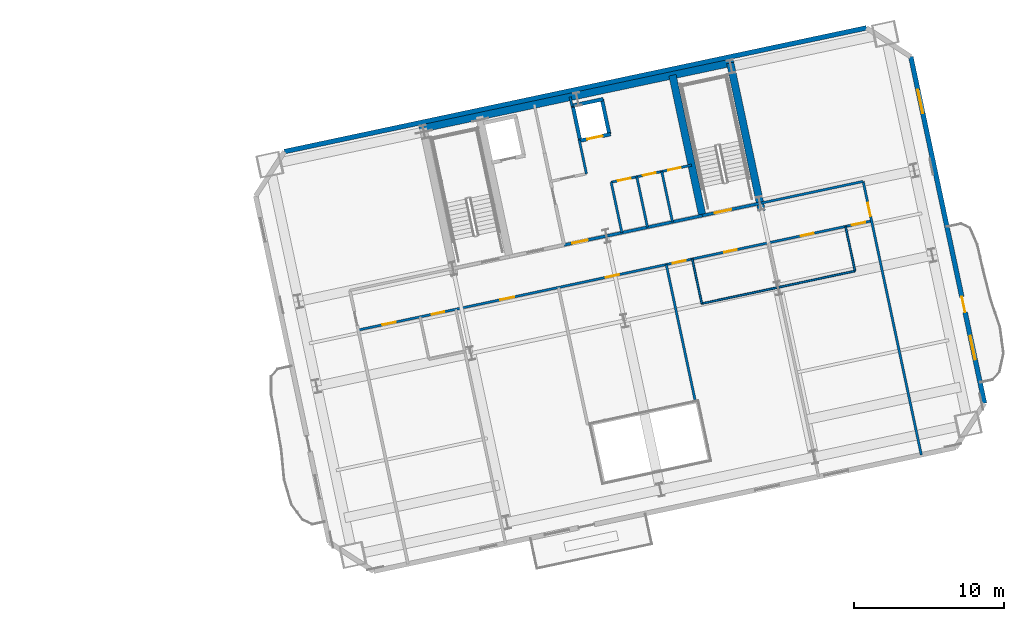
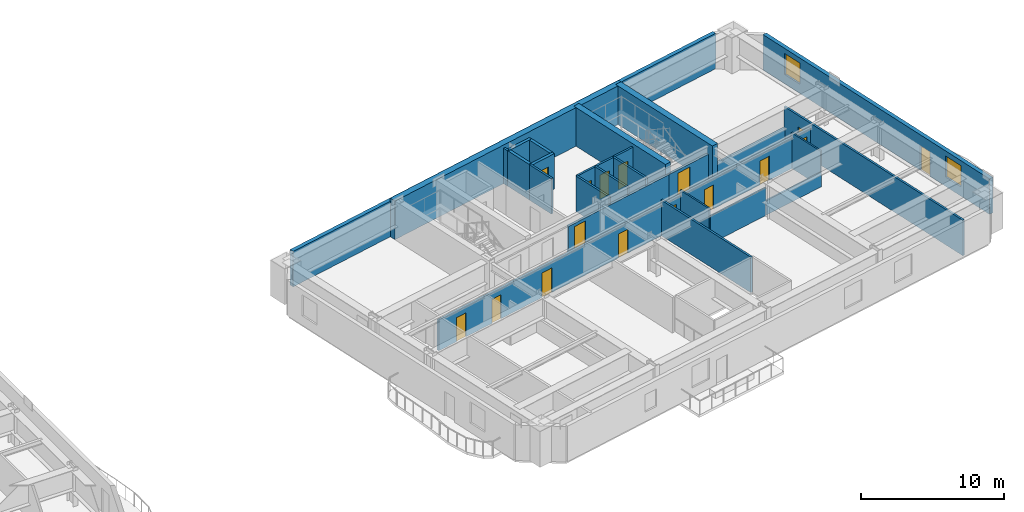
# One storey, part 10 of 16: 25 walls, 16 doors, 2 windows, 18 openings.
"""IFC4 building model written with IfcOpenShell, lengths in metres."""

from ifc_helpers import new_model, si_unit, direction, frame, frame_2d, origin, place, context, subcontext, project, spatial, rectangle, extrude, material, layer, layer_set, type_object, element, fill, save


model = new_model("IFC4")

# Units and contexts
model_context = context("Model", 3, precision=1e-05, world=origin(), true_north=direction((0.0, 1.0)))
body_context = subcontext(model_context, "Body", "Model", "MODEL_VIEW")
ifc_project = project(units=[si_unit("LENGTHUNIT", "METRE"), si_unit("AREAUNIT", "SQUARE_METRE"), si_unit("VOLUMEUNIT", "CUBIC_METRE"), si_unit("PLANEANGLEUNIT", "RADIAN"), si_unit("MASSUNIT", "GRAM", prefix="KILO")], contexts=[model_context])

# Site, building, storey
site_placement = place(None, origin())
site = spatial("IfcSite", under=ifc_project, at=site_placement, CompositionType="ELEMENT")
building_placement = place(site_placement, origin())
building = spatial("IfcBuilding", under=site, at=building_placement, Name="Haevon Station Towers", CompositionType="ELEMENT")
storey_placement = place(building_placement, frame((0.0, 0.0, 90.0)))
storey = spatial("IfcBuildingStorey", under=building, at=storey_placement, Name="L23", CompositionType="ELEMENT", Elevation=90.0)

# Wall, opening, door
ifc_material_1 = material(Name="Gypsum board on steel stud", Category="steel")
ifc_layer_1 = layer(ifc_material_1, 0.199951171875)
ifc_layer_set_1 = layer_set([ifc_layer_1], Name="Gypsum board on steel stud")
wall_type_1 = type_object("IfcWallType", Name="WL-COR200", PredefinedType="PARTITIONING", material=ifc_layer_set_1)
wall_1_placement = place(storey_placement, frame((115.4296875, 40.9873046875, 0.0), z_axis=(0.0, 0.0, 1.0), x_axis=(0.978146596989, 0.207916413008, 0.0)))
wall_1 = element("IfcWall", 1, at=wall_1_placement, inside=storey, type_object=wall_type_1, Name="WL-ST-ST4-L23", PredefinedType="PARTITIONING", context=body_context, shape_type="SweptSolid", body=[
    extrude(rectangle(XDim=3.9501953125, YDim=0.199951171875, at=frame_2d((1.97509765625, 0.0))), origin(), (0.0, 0.0, 1.0), 2.3798828125),
])
opening_1_placement = place(wall_1_placement, frame((0.85009765625, 0.0, 0.0)))
opening_1 = element("IfcOpeningElement", 2, at=opening_1_placement, cuts=wall_1, Name="Opening DR-ST-ST4-L23", PredefinedType="OPENING", context=body_context, shape_type="SweptSolid", body=[
    extrude(rectangle(XDim=1.1201171875, YDim=2.10009765625, at=frame_2d((0.56005859375, 1.050048828125))), frame((0.0, 0.10986328125, 0.0), z_axis=(0.0, -1.0, 0.0), x_axis=(1.0, 0.0, 0.0)), (0.0, 0.0, 1.0), 0.219970703125),
])
ifc_material_2 = material(Name="Engineered oak timber", Category="wood")
door_type_1 = type_object("IfcDoorType", Name="DR-ST-1120", OperationType="NOTDEFINED", PredefinedType="DOOR", material=ifc_material_2)
door_1_placement = place(opening_1_placement, origin())
door_1 = element("IfcDoor", 3, at=door_1_placement, inside=storey, type_object=door_type_1, Name="L23 Escape Stair ST4 Fire Door", OperationType="SINGLE_SWING_RIGHT", OverallHeight=2.10009765625, OverallWidth=1.1201171875, PredefinedType="DOOR", context=body_context, shape_type="SweptSolid", body=[
    extrude(rectangle(XDim=1.1201171875, YDim=2.10009765625, at=frame_2d((0.56005859375, 1.050048828125))), frame((0.0, 0.02490234375, 0.0), z_axis=(0.0, -1.0, 0.0), x_axis=(1.0, 0.0, 0.0)), (0.0, 0.0, 1.0), 0.050048828125),
])
fill(opening_1, door_1)

wall_2_placement = place(storey_placement, frame((106.186279296875, 39.0224609375, 0.0), z_axis=(0.0, 0.0, 1.0), x_axis=(0.978145519981, 0.20792147975, 0.0)))
wall_2 = element("IfcWall", 4, at=wall_2_placement, inside=storey, type_object=wall_type_1, Name="WL-T2CLB-L23", PredefinedType="PARTITIONING", context=body_context, shape_type="SweptSolid", body=[
    extrude(rectangle(XDim=9.449951171875, YDim=0.199951171875, at=frame_2d((4.72509765625, 0.0))), origin(), (0.0, 0.0, 1.0), 2.3798828125),
])
opening_2_placement = place(wall_2_placement, frame((0.550048828125, 0.0, 0.0)))
opening_2 = element("IfcOpeningElement", 5, at=opening_2_placement, cuts=wall_2, Name="Opening DR-T2CLB-L23-1", PredefinedType="OPENING", context=body_context, shape_type="SweptSolid", body=[
    extrude(rectangle(XDim=1.050048828125, YDim=2.10009765625, at=frame_2d((0.52490234375, 1.050048828125))), frame((0.0, 0.10986328125, 0.0), z_axis=(0.0, -1.0, 0.0), x_axis=(1.0, 0.0, 0.0)), (0.0, 0.0, 1.0), 0.219970703125),
])
door_type_2 = type_object("IfcDoorType", Name="DR-FD60-1050", OperationType="NOTDEFINED", PredefinedType="DOOR", material=ifc_material_2)
door_2_placement = place(opening_2_placement, origin())
door_2 = element("IfcDoor", 6, at=door_2_placement, inside=storey, type_object=door_type_2, Name="L23 Tower 2 Core Lift Lobby Door 1", OperationType="SINGLE_SWING_LEFT", OverallHeight=2.10009765625, OverallWidth=1.050048828125, PredefinedType="DOOR", context=body_context, shape_type="SweptSolid", body=[
    extrude(rectangle(XDim=1.050048828125, YDim=2.10009765625, at=frame_2d((0.52490234375, 1.050048828125))), frame((0.0, 0.02490234375, 0.0), z_axis=(0.0, -1.0, 0.0), x_axis=(1.0, 0.0, 0.0)), (0.0, 0.0, 1.0), 0.050048828125),
])
fill(opening_2, door_2)

# Walls
ifc_material_3 = material(Name="Concrete C60/75", Category="concrete")
ifc_layer_2 = layer(ifc_material_3, 0.5)
ifc_layer_set_2 = layer_set([ifc_layer_2], Name="Concrete C60/75")
wall_type_2 = type_object("IfcWallType", Name="WL-CR500", PredefinedType="SHEAR", material=ifc_layer_set_2)
wall_3_placement = place(storey_placement, frame((96.511962890625, 46.78076171875, 0.0), z_axis=(0.0, 0.0, 1.0), x_axis=(0.978148546782, 0.207907239961, 0.0)))
element("IfcWall", 7, at=wall_3_placement, inside=storey, type_object=wall_type_2, Name="WL-T2CR-L23-N", PredefinedType="SHEAR", context=body_context, shape_type="SweptSolid", body=[
    extrude(rectangle(XDim=21.499755859375, YDim=0.5, at=frame_2d((10.75, 0.0))), origin(), (0.0, 0.0, 1.0), 3.300048828125),
])
wall_4_placement = place(storey_placement, frame((119.401611328125, 41.2998046875, 0.0), z_axis=(0.0, 0.0, 1.0), x_axis=(-0.207904342798, 0.978149162575, 0.0)))
element("IfcWall", 8, at=wall_4_placement, inside=storey, type_object=wall_type_2, Name="WL-T2CR-L23-E", PredefinedType="SHEAR", context=body_context, shape_type="SweptSolid", body=[
    extrude(rectangle(XDim=10.1201171875, YDim=0.5, at=frame_2d((5.06005859375, 0.0))), origin(), (0.0, 0.0, 1.0), 3.300048828125),
])
wall_5_placement = place(storey_placement, frame((115.4296875, 40.9873046875, 0.0), z_axis=(0.0, 0.0, 1.0), x_axis=(-0.207903162969, 0.978149413345, 0.0)))
element("IfcWall", 9, at=wall_5_placement, inside=storey, type_object=wall_type_2, Name="WL-T2CR-L23-M2", PredefinedType="SHEAR", context=body_context, shape_type="SweptSolid", body=[
    extrude(rectangle(XDim=9.599853515625, YDim=0.5, at=frame_2d((4.7998046875, 0.0))), origin(), (0.0, 0.0, 1.0), 3.300048828125),
])
ifc_material_4 = material(Name="Precast concrete C45/55", Category="concrete")
ifc_layer_3 = layer(ifc_material_4, 0.320068359375)
ifc_layer_set_3 = layer_set([ifc_layer_3], Name="Precast concrete C45/55")
wall_type_3 = type_object("IfcWallType", Name="WL-EXT-PIER320", PredefinedType="SOLIDWALL", material=ifc_layer_set_3)
wall_6_placement = place(storey_placement, frame((87.478759765625, 45.26953125, 0.0), z_axis=(0.0, 0.0, 1.0), x_axis=(0.978147406386, 0.20791260515, 0.0)))
element("IfcWall", 10, at=wall_6_placement, inside=storey, type_object=wall_type_3, Name="WL-T2-L23-N", PredefinedType="SOLIDWALL", context=body_context, shape_type="SweptSolid", body=[
    extrude(rectangle(XDim=39.7998046875, YDim=0.320068359375, at=frame_2d((19.89990234375, 0.0))), origin(), (0.0, 0.0, 1.0), 3.030029296875),
])

# Wall, openings, door, windows
wall_7_placement = place(storey_placement, frame((129.3740234375, 51.618896484375, 0.0), z_axis=(0.0, 0.0, 1.0), x_axis=(0.20791074704, -0.978147801339, 0.0)))
wall_7 = element("IfcWall", 11, at=wall_7_placement, inside=storey, type_object=wall_type_3, Name="WL-T2-L23-E", PredefinedType="SOLIDWALL", context=body_context, shape_type="SweptSolid", body=[
    extrude(rectangle(XDim=23.699951171875, YDim=0.320068359375, at=frame_2d((11.85009765625, 0.0))), origin(), (0.0, 0.0, 1.0), 3.030029296875),
])
opening_3_placement = place(wall_7_placement, frame((16.425048828125, 0.0, 0.0)))
opening_3 = element("IfcOpeningElement", 12, at=opening_3_placement, cuts=wall_7, Name="Opening DR-T2-SCAL-L23-E", PredefinedType="OPENING", context=body_context, shape_type="SweptSolid", body=[
    extrude(rectangle(XDim=1.050048828125, YDim=2.10009765625, at=frame_2d((0.52490234375, 1.050048828125))), frame((0.0, 0.169921875, 0.0), z_axis=(0.0, -1.0, 0.0), x_axis=(1.0, 0.0, 0.0)), (0.0, 0.0, 1.0), 0.340087890625),
])
opening_4_placement = place(wall_7_placement, frame((2.264404296875, 0.0, 0.800048828125)))
opening_4 = element("IfcOpeningElement", 13, at=opening_4_placement, cuts=wall_7, Name="Opening WN-END160", PredefinedType="OPENING", context=body_context, shape_type="SweptSolid", body=[
    extrude(rectangle(XDim=1.60009765625, YDim=1.800048828125, at=frame_2d((0.800048828125, 0.89990234375))), frame((0.0, 0.169921875, 0.0), z_axis=(0.0, -1.0, 0.0), x_axis=(1.0, 0.0, 0.0)), (0.0, 0.0, 1.0), 0.340087890625),
])
opening_5_placement = place(wall_7_placement, frame((19.103515625, 0.0, 0.800048828125)))
opening_5 = element("IfcOpeningElement", 14, at=opening_5_placement, cuts=wall_7, Name="Opening WN-END160", PredefinedType="OPENING", context=body_context, shape_type="SweptSolid", body=[
    extrude(rectangle(XDim=1.60009765625, YDim=1.800048828125, at=frame_2d((0.800048828125, 0.89990234375))), frame((0.0, 0.169921875, 0.0), z_axis=(0.0, -1.0, 0.0), x_axis=(1.0, 0.0, 0.0)), (0.0, 0.0, 1.0), 0.340087890625),
])
ifc_material_5 = material(Name="Thermally broken anodised aluminium and laminated safety glass", Category="aluminium")
door_type_3 = type_object("IfcDoorType", Name="DR-BALC-1050", OperationType="NOTDEFINED", PredefinedType="DOOR", material=ifc_material_5)
door_3_placement = place(opening_3_placement, origin())
door_3 = element("IfcDoor", 15, at=door_3_placement, inside=storey, type_object=door_type_3, Name="Tower 2 L23 East Scalloped Balcony Door", OperationType="SINGLE_SWING_LEFT", OverallHeight=2.10009765625, OverallWidth=1.050048828125, PredefinedType="DOOR", context=body_context, shape_type="SweptSolid", body=[
    extrude(rectangle(XDim=1.050048828125, YDim=2.10009765625, at=frame_2d((0.52490234375, 1.050048828125))), frame((0.0, 0.02490234375, 0.0), z_axis=(0.0, -1.0, 0.0), x_axis=(1.0, 0.0, 0.0)), (0.0, 0.0, 1.0), 0.050048828125),
])
fill(opening_3, door_3)
ifc_material_6 = material(Name="Low-E triple glazing in thermally broken aluminium", Category="aluminium")
window_type = type_object("IfcWindowType", Name="WN-END160", PartitioningType="SINGLE_PANEL", PredefinedType="WINDOW", material=ifc_material_6)
window_1_placement = place(opening_4_placement, origin())
window_1 = element("IfcWindow", 16, at=window_1_placement, inside=storey, type_object=window_type, Name="WN-T2-L23-E01", OverallHeight=1.800048828125, OverallWidth=1.60009765625, PartitioningType="SINGLE_PANEL", PredefinedType="WINDOW", context=body_context, shape_type="SweptSolid", body=[
    extrude(rectangle(XDim=1.60009765625, YDim=1.800048828125, at=frame_2d((0.800048828125, 0.89990234375))), frame((0.0, 0.030029296875, 0.0), z_axis=(0.0, -1.0, 0.0), x_axis=(1.0, 0.0, 0.0)), (0.0, 0.0, 1.0), 0.06005859375),
])
fill(opening_4, window_1)
window_2_placement = place(opening_5_placement, origin())
window_2 = element("IfcWindow", 17, at=window_2_placement, inside=storey, type_object=window_type, Name="WN-T2-L23-E02", OverallHeight=1.800048828125, OverallWidth=1.60009765625, PartitioningType="SINGLE_PANEL", PredefinedType="WINDOW", context=body_context, shape_type="SweptSolid", body=[
    extrude(rectangle(XDim=1.60009765625, YDim=1.800048828125, at=frame_2d((0.800048828125, 0.89990234375))), frame((0.0, 0.030029296875, 0.0), z_axis=(0.0, -1.0, 0.0), x_axis=(1.0, 0.0, 0.0)), (0.0, 0.0, 1.0), 0.06005859375),
])
fill(opening_5, window_2)

# Walls
ifc_layer_4 = layer(ifc_material_1, 0.125)
ifc_layer_set_4 = layer_set([ifc_layer_4], Name="Gypsum board on steel stud")
wall_type_4 = type_object("IfcWallType", Name="WL-PRT125", PredefinedType="PARTITIONING", material=ifc_layer_set_4)
wall_8_placement = place(storey_placement, frame((115.392822265625, 35.10107421875, 0.0), z_axis=(0.0, 0.0, 1.0), x_axis=(0.978151508714, 0.207893304367, 0.0)))
element("IfcWall", 18, at=wall_8_placement, inside=storey, type_object=wall_type_4, Name="WL-T2PT-L23-15", PredefinedType="PARTITIONING", context=body_context, shape_type="SweptSolid", body=[
    extrude(rectangle(XDim=5.239990234375, YDim=0.125, at=frame_2d((2.6201171875, 0.0))), origin(), (0.0, 0.0, 1.0), 2.3798828125),
])
wall_9_placement = place(storey_placement, frame((115.392822265625, 35.10107421875, 0.0), z_axis=(0.0, 0.0, 1.0), x_axis=(-0.207970769876, 0.978135041228, 0.0)))
element("IfcWall", 19, at=wall_9_placement, inside=storey, type_object=wall_type_4, Name="WL-T2PT-L23-16", PredefinedType="PARTITIONING", context=body_context, shape_type="SweptSolid", body=[
    extrude(rectangle(XDim=3.0498046875, YDim=0.125, at=frame_2d((1.52490234375, 0.0))), origin(), (0.0, 0.0, 1.0), 3.030029296875),
])
wall_10_placement = place(storey_placement, frame((120.518310546875, 36.1904296875, 0.0), z_axis=(0.0, 0.0, 1.0), x_axis=(0.978151508714, 0.207893304367, 0.0)))
element("IfcWall", 20, at=wall_10_placement, inside=storey, type_object=wall_type_4, Name="WL-T2PT-L23-18", PredefinedType="PARTITIONING", context=body_context, shape_type="SweptSolid", body=[
    extrude(rectangle(XDim=5.239990234375, YDim=0.125, at=frame_2d((2.6201171875, 0.0))), origin(), (0.0, 0.0, 1.0), 1.22998046875),
])
wall_11_placement = place(storey_placement, frame((125.643798828125, 37.27978515625, 0.0), z_axis=(0.0, 0.0, 1.0), x_axis=(-0.207877902534, 0.978154782045, 0.0)))
element("IfcWall", 21, at=wall_11_placement, inside=storey, type_object=wall_type_4, Name="WL-T2PT-L23-19", PredefinedType="PARTITIONING", context=body_context, shape_type="SweptSolid", body=[
    extrude(rectangle(XDim=3.050048828125, YDim=0.125, at=frame_2d((1.52490234375, 0.0))), origin(), (0.0, 0.0, 1.0), 3.030029296875),
])
ifc_layer_5 = layer(ifc_material_1, 0.159912109375)
ifc_layer_set_5 = layer_set([ifc_layer_5], Name="Gypsum board on steel stud")
wall_type_5 = type_object("IfcWallType", Name="WL-PRT160", PredefinedType="PARTITIONING", material=ifc_layer_set_5)
wall_12_placement = place(storey_placement, frame((107.67822265625, 43.786865234375, 0.0), z_axis=(0.0, 0.0, 1.0), x_axis=(-0.207839712757, 0.978162897375, 0.0)))
element("IfcWall", 22, at=wall_12_placement, inside=storey, type_object=wall_type_5, Name="WL-T2CW-L23-03", PredefinedType="PARTITIONING", context=body_context, shape_type="SweptSolid", body=[
    extrude(rectangle(XDim=2.300048828125, YDim=0.159912109375, at=frame_2d((1.14990234375, 0.0))), origin(), (0.0, 0.0, 1.0), 3.030029296875),
])
wall_13_placement = place(storey_placement, frame((106.721923828125, 48.286376953125, 0.0), z_axis=(0.0, 0.0, 1.0), x_axis=(-0.208092352933, 0.978109182377, 0.0)))
element("IfcWall", 23, at=wall_13_placement, inside=storey, type_object=wall_type_5, Name="WL-T2CW-L23-04", PredefinedType="PARTITIONING", context=body_context, shape_type="SweptSolid", body=[
    extrude(rectangle(XDim=0.64990234375, YDim=0.159912109375, at=frame_2d((0.324951171875, 0.0))), origin(), (0.0, 0.0, 1.0), 3.030029296875),
])
for number, where, z_axis, x_axis, name in (
    (24, (110.050048828125, 39.84375, 0.0), (0.0, 0.0, 1.0), (-0.207900225061, 0.978150037785, 0.0), "WL-T2CW-L23-05"),
    (25, (111.76171875, 40.20751953125, 0.0), (0.0, 0.0, 1.0), (-0.207900225061, 0.978150037785, 0.0), "WL-T2CW-L23-06"),
):
    element("IfcWall", number, at=place(storey_placement, frame(where, z_axis=z_axis, x_axis=x_axis)), inside=storey, type_object=wall_type_5, Name=name, PredefinedType="PARTITIONING", context=body_context, shape_type="SweptSolid", body=[
        extrude(rectangle(XDim=3.4501953125, YDim=0.159912109375, at=frame_2d((1.72509765625, 0.0))), origin(), (0.0, 0.0, 1.0), 3.030029296875),
    ])
wall_14_placement = place(storey_placement, frame((113.434326171875, 40.563232421875, 0.0), z_axis=(0.0, 0.0, 1.0), x_axis=(-0.207914616127, 0.978146978935, 0.0)))
element("IfcWall", 26, at=wall_14_placement, inside=storey, type_object=wall_type_5, Name="WL-T2CW-L23-07", PredefinedType="PARTITIONING", context=body_context, shape_type="SweptSolid", body=[
    extrude(rectangle(XDim=3.449951171875, YDim=0.159912109375, at=frame_2d((1.72509765625, 0.0))), origin(), (0.0, 0.0, 1.0), 3.030029296875),
])

# Wall, openings, doors
wall_15_placement = place(storey_placement, frame((109.332763671875, 43.218505859375, 0.0), z_axis=(0.0, 0.0, 1.0), x_axis=(0.978153773776, 0.207882646816, 0.0)))
wall_15 = element("IfcWall", 27, at=wall_15_placement, inside=storey, type_object=wall_type_5, Name="WL-T2CW-L23-08", PredefinedType="PARTITIONING", context=body_context, shape_type="SweptSolid", body=[
    extrude(rectangle(XDim=5.499755859375, YDim=0.159912109375, at=frame_2d((2.75, 0.0))), origin(), (0.0, 0.0, 1.0), 3.030029296875),
])
opening_6_placement = place(wall_15_placement, frame((0.469970703125, 0.0, 0.0)))
opening_6 = element("IfcOpeningElement", 28, at=opening_6_placement, cuts=wall_15, Name="Opening DR-WL-T2CW-L23-08-1", PredefinedType="OPENING", context=body_context, shape_type="SweptSolid", body=[
    extrude(rectangle(XDim=0.85009765625, YDim=2.050048828125, at=frame_2d((0.425048828125, 1.02490234375))), frame((0.0, 0.08984375, 0.0), z_axis=(0.0, -1.0, 0.0), x_axis=(1.0, 0.0, 0.0)), (0.0, 0.0, 1.0), 0.179931640625),
])
opening_7_placement = place(wall_15_placement, frame((2.179931640625, 0.0, 0.0)))
opening_7 = element("IfcOpeningElement", 29, at=opening_7_placement, cuts=wall_15, Name="Opening DR-WL-T2CW-L23-08-2", PredefinedType="OPENING", context=body_context, shape_type="SweptSolid", body=[
    extrude(rectangle(XDim=0.85009765625, YDim=2.050048828125, at=frame_2d((0.425048828125, 1.02490234375))), frame((0.0, 0.08984375, 0.0), z_axis=(0.0, -1.0, 0.0), x_axis=(1.0, 0.0, 0.0)), (0.0, 0.0, 1.0), 0.179931640625),
])
opening_8_placement = place(wall_15_placement, frame((3.89501953125, 0.0, 0.0)))
opening_8 = element("IfcOpeningElement", 30, at=opening_8_placement, cuts=wall_15, Name="Opening DR-WL-T2CW-L23-08-3", PredefinedType="OPENING", context=body_context, shape_type="SweptSolid", body=[
    extrude(rectangle(XDim=0.85009765625, YDim=2.050048828125, at=frame_2d((0.425048828125, 1.02490234375))), frame((0.0, 0.08984375, 0.0), z_axis=(0.0, -1.0, 0.0), x_axis=(1.0, 0.0, 0.0)), (0.0, 0.0, 1.0), 0.179931640625),
])
door_type_4 = type_object("IfcDoorType", Name="DR-FD30-850", OperationType="NOTDEFINED", PredefinedType="DOOR", material=ifc_material_2)
door_4_placement = place(opening_6_placement, origin())
door_4 = element("IfcDoor", 31, at=door_4_placement, inside=storey, type_object=door_type_4, Name="L23 Tower 2 Core Room Door 8-1", OperationType="SINGLE_SWING_RIGHT", OverallHeight=2.050048828125, OverallWidth=0.85009765625, PredefinedType="DOOR", context=body_context, shape_type="SweptSolid", body=[
    extrude(rectangle(XDim=0.85009765625, YDim=2.050048828125, at=frame_2d((0.425048828125, 1.02490234375))), frame((0.0, 0.02490234375, 0.0), z_axis=(0.0, -1.0, 0.0), x_axis=(1.0, 0.0, 0.0)), (0.0, 0.0, 1.0), 0.050048828125),
])
fill(opening_6, door_4)
door_5_placement = place(opening_7_placement, origin())
door_5 = element("IfcDoor", 32, at=door_5_placement, inside=storey, type_object=door_type_4, Name="L23 Tower 2 Core Room Door 8-2", OperationType="SINGLE_SWING_LEFT", OverallHeight=2.050048828125, OverallWidth=0.85009765625, PredefinedType="DOOR", context=body_context, shape_type="SweptSolid", body=[
    extrude(rectangle(XDim=0.85009765625, YDim=2.050048828125, at=frame_2d((0.425048828125, 1.02490234375))), frame((0.0, 0.02490234375, 0.0), z_axis=(0.0, -1.0, 0.0), x_axis=(1.0, 0.0, 0.0)), (0.0, 0.0, 1.0), 0.050048828125),
])
fill(opening_7, door_5)
door_6_placement = place(opening_8_placement, origin())
door_6 = element("IfcDoor", 33, at=door_6_placement, inside=storey, type_object=door_type_4, Name="L23 Tower 2 Core Room Door 8-3", OperationType="SINGLE_SWING_RIGHT", OverallHeight=2.050048828125, OverallWidth=0.85009765625, PredefinedType="DOOR", context=body_context, shape_type="SweptSolid", body=[
    extrude(rectangle(XDim=0.85009765625, YDim=2.050048828125, at=frame_2d((0.425048828125, 1.02490234375))), frame((0.0, 0.02490234375, 0.0), z_axis=(0.0, -1.0, 0.0), x_axis=(1.0, 0.0, 0.0)), (0.0, 0.0, 1.0), 0.050048828125),
])
fill(opening_8, door_6)

# Wall
wall_16_placement = place(storey_placement, frame((119.29345703125, 41.80859375, 0.0), z_axis=(0.0, 0.0, 1.0), x_axis=(0.978146703791, 0.207915910556, 0.0)))
element("IfcWall", 34, at=wall_16_placement, inside=storey, type_object=wall_type_5, Name="WL-T2PT-L23-02", PredefinedType="PARTITIONING", context=body_context, shape_type="SweptSolid", body=[
    extrude(rectangle(XDim=7.050048828125, YDim=0.159912109375, at=frame_2d((3.52490234375, 0.0))), origin(), (0.0, 0.0, 1.0), 1.22998046875),
])

# Wall, opening, door
wall_17_placement = place(storey_placement, frame((130.077392578125, 24.98291015625, 0.0), z_axis=(0.0, 0.0, 1.0), x_axis=(-0.207909658332, 0.97814803275, 0.0)))
wall_17 = element("IfcWall", 35, at=wall_17_placement, inside=storey, type_object=wall_type_5, Name="WL-T2PT-L23-04", PredefinedType="PARTITIONING", context=body_context, shape_type="SweptSolid", body=[
    extrude(rectangle(XDim=18.7001953125, YDim=0.159912109375, at=frame_2d((9.35009765625, 0.0))), origin(), (0.0, 0.0, 1.0), 3.030029296875),
])
opening_9_placement = place(wall_17_placement, frame((16.320068359375, 0.0, 0.0)))
opening_9 = element("IfcOpeningElement", 36, at=opening_9_placement, cuts=wall_17, Name="Opening DR-WL-T2PT-L23-04-01", PredefinedType="OPENING", context=body_context, shape_type="SweptSolid", body=[
    extrude(rectangle(XDim=0.89990234375, YDim=2.050048828125, at=frame_2d((0.449951171875, 1.02490234375))), frame((0.0, 0.08984375, 0.0), z_axis=(0.0, -1.0, 0.0), x_axis=(1.0, 0.0, 0.0)), (0.0, 0.0, 1.0), 0.179931640625),
])
door_type_5 = type_object("IfcDoorType", Name="DR-INT-900", OperationType="NOTDEFINED", PredefinedType="DOOR", material=ifc_material_2)
door_7_placement = place(opening_9_placement, origin())
door_7 = element("IfcDoor", 37, at=door_7_placement, inside=storey, type_object=door_type_5, Name="L23 Tower 2 Room Door 4-1", OperationType="SINGLE_SWING_RIGHT", OverallHeight=2.050048828125, OverallWidth=0.89990234375, PredefinedType="DOOR", context=body_context, shape_type="SweptSolid", body=[
    extrude(rectangle(XDim=0.89990234375, YDim=2.050048828125, at=frame_2d((0.449951171875, 1.02490234375))), frame((0.0, 0.02490234375, 0.0), z_axis=(0.0, -1.0, 0.0), x_axis=(1.0, 0.0, 0.0)), (0.0, 0.0, 1.0), 0.050048828125),
])
fill(opening_9, door_7)

# Wall
wall_18_placement = place(storey_placement, frame((114.971923828125, 28.519775390625, 0.0), z_axis=(0.0, 0.0, 1.0), x_axis=(-0.207909388017, 0.978148090206, 0.0)))
element("IfcWall", 38, at=wall_18_placement, inside=storey, type_object=wall_type_5, Name="WL-T2PT-L23-13", PredefinedType="PARTITIONING", context=body_context, shape_type="SweptSolid", body=[
    extrude(rectangle(XDim=9.39990234375, YDim=0.159912109375, at=frame_2d((4.699951171875, 0.0))), origin(), (0.0, 0.0, 1.0), 3.030029296875),
])

# Wall, openings, doors
wall_19_placement = place(storey_placement, frame((92.417724609375, 33.335693359375, 0.0), z_axis=(0.0, 0.0, 1.0), x_axis=(0.978148172424, 0.207909001208, 0.0)))
wall_19 = element("IfcWall", 39, at=wall_19_placement, inside=storey, type_object=wall_type_5, Name="WL-T2PT-L23-20", PredefinedType="PARTITIONING", context=body_context, shape_type="SweptSolid", body=[
    extrude(rectangle(XDim=35.10009765625, YDim=0.159912109375, at=frame_2d((17.550048828125, 0.0))), origin(), (0.0, 0.0, 1.0), 2.6298828125),
])
opening_10_placement = place(wall_19_placement, frame((5.01904296875, 0.0, 0.0)))
opening_10 = element("IfcOpeningElement", 40, at=opening_10_placement, cuts=wall_19, Name="Opening DR-WL-T2PT-L23-20-01", PredefinedType="OPENING", context=body_context, shape_type="SweptSolid", body=[
    extrude(rectangle(XDim=0.85009765625, YDim=2.050048828125, at=frame_2d((0.425048828125, 1.02490234375))), frame((0.0, 0.08984375, 0.0), z_axis=(0.0, -1.0, 0.0), x_axis=(1.0, 0.0, 0.0)), (0.0, 0.0, 1.0), 0.179931640625),
])
opening_11_placement = place(wall_19_placement, frame((1.659912109375, 0.0, 0.0)))
opening_11 = element("IfcOpeningElement", 41, at=opening_11_placement, cuts=wall_19, Name="Opening DR-WL-T2PT-L23-20-02", PredefinedType="OPENING", context=body_context, shape_type="SweptSolid", body=[
    extrude(rectangle(XDim=0.89990234375, YDim=2.050048828125, at=frame_2d((0.449951171875, 1.02490234375))), frame((0.0, 0.08984375, 0.0), z_axis=(0.0, -1.0, 0.0), x_axis=(1.0, 0.0, 0.0)), (0.0, 0.0, 1.0), 0.179931640625),
])
opening_12_placement = place(wall_19_placement, frame((9.7041015625, 0.0, 0.0)))
opening_12 = element("IfcOpeningElement", 42, at=opening_12_placement, cuts=wall_19, Name="Opening DR-WL-T2PT-L23-20-03", PredefinedType="OPENING", context=body_context, shape_type="SweptSolid", body=[
    extrude(rectangle(XDim=0.949951171875, YDim=2.10009765625, at=frame_2d((0.47509765625, 1.050048828125))), frame((0.0, 0.08984375, 0.0), z_axis=(0.0, -1.0, 0.0), x_axis=(1.0, 0.0, 0.0)), (0.0, 0.0, 1.0), 0.179931640625),
])
opening_13_placement = place(wall_19_placement, frame((16.925048828125, 0.0, 0.0)))
opening_13 = element("IfcOpeningElement", 43, at=opening_13_placement, cuts=wall_19, Name="Opening DR-WL-T2PT-L23-20-04", PredefinedType="OPENING", context=body_context, shape_type="SweptSolid", body=[
    extrude(rectangle(XDim=0.89990234375, YDim=2.050048828125, at=frame_2d((0.449951171875, 1.02490234375))), frame((0.0, 0.08984375, 0.0), z_axis=(0.0, -1.0, 0.0), x_axis=(1.0, 0.0, 0.0)), (0.0, 0.0, 1.0), 0.179931640625),
])
opening_14_placement = place(wall_19_placement, frame((25.034912109375, 0.0, 0.0)))
opening_14 = element("IfcOpeningElement", 44, at=opening_14_placement, cuts=wall_19, Name="Opening DR-WL-T2PT-L23-20-05", PredefinedType="OPENING", context=body_context, shape_type="SweptSolid", body=[
    extrude(rectangle(XDim=0.85009765625, YDim=2.050048828125, at=frame_2d((0.425048828125, 1.02490234375))), frame((0.0, 0.08984375, 0.0), z_axis=(0.0, -1.0, 0.0), x_axis=(1.0, 0.0, 0.0)), (0.0, 0.0, 1.0), 0.179931640625),
])
opening_15_placement = place(wall_19_placement, frame((21.5, 0.0, 0.0)))
opening_15 = element("IfcOpeningElement", 45, at=opening_15_placement, cuts=wall_19, Name="Opening DR-WL-T2PT-L23-20-06", PredefinedType="OPENING", context=body_context, shape_type="SweptSolid", body=[
    extrude(rectangle(XDim=0.89990234375, YDim=2.050048828125, at=frame_2d((0.449951171875, 1.02490234375))), frame((0.0, 0.08984375, 0.0), z_axis=(0.0, -1.0, 0.0), x_axis=(1.0, 0.0, 0.0)), (0.0, 0.0, 1.0), 0.179931640625),
])
opening_16_placement = place(wall_19_placement, frame((30.27490234375, 0.0, 0.0)))
opening_16 = element("IfcOpeningElement", 46, at=opening_16_placement, cuts=wall_19, Name="Opening DR-WL-T2PT-L23-20-07", PredefinedType="OPENING", context=body_context, shape_type="SweptSolid", body=[
    extrude(rectangle(XDim=0.85009765625, YDim=2.050048828125, at=frame_2d((0.425048828125, 1.02490234375))), frame((0.0, 0.08984375, 0.0), z_axis=(0.0, -1.0, 0.0), x_axis=(1.0, 0.0, 0.0)), (0.0, 0.0, 1.0), 0.179931640625),
])
opening_17_placement = place(wall_19_placement, frame((33.760009765625, 0.0, 0.0)))
opening_17 = element("IfcOpeningElement", 47, at=opening_17_placement, cuts=wall_19, Name="Opening DR-WL-T2PT-L23-20-08", PredefinedType="OPENING", context=body_context, shape_type="SweptSolid", body=[
    extrude(rectangle(XDim=0.89990234375, YDim=2.050048828125, at=frame_2d((0.449951171875, 1.02490234375))), frame((0.0, 0.08984375, 0.0), z_axis=(0.0, -1.0, 0.0), x_axis=(1.0, 0.0, 0.0)), (0.0, 0.0, 1.0), 0.179931640625),
])
door_8_placement = place(opening_10_placement, origin())
door_8 = element("IfcDoor", 48, at=door_8_placement, inside=storey, type_object=door_type_4, Name="L23 Tower 2 Room Door 20-1", OperationType="SINGLE_SWING_LEFT", OverallHeight=2.050048828125, OverallWidth=0.85009765625, PredefinedType="DOOR", context=body_context, shape_type="SweptSolid", body=[
    extrude(rectangle(XDim=0.85009765625, YDim=2.050048828125, at=frame_2d((0.425048828125, 1.02490234375))), frame((0.0, 0.02490234375, 0.0), z_axis=(0.0, -1.0, 0.0), x_axis=(1.0, 0.0, 0.0)), (0.0, 0.0, 1.0), 0.050048828125),
])
fill(opening_10, door_8)
door_9_placement = place(opening_14_placement, origin())
door_9 = element("IfcDoor", 49, at=door_9_placement, inside=storey, type_object=door_type_4, Name="L23 Tower 2 Room Door 20-5", OperationType="SINGLE_SWING_LEFT", OverallHeight=2.050048828125, OverallWidth=0.85009765625, PredefinedType="DOOR", context=body_context, shape_type="SweptSolid", body=[
    extrude(rectangle(XDim=0.85009765625, YDim=2.050048828125, at=frame_2d((0.425048828125, 1.02490234375))), frame((0.0, 0.02490234375, 0.0), z_axis=(0.0, -1.0, 0.0), x_axis=(1.0, 0.0, 0.0)), (0.0, 0.0, 1.0), 0.050048828125),
])
fill(opening_14, door_9)
door_10_placement = place(opening_16_placement, origin())
door_10 = element("IfcDoor", 50, at=door_10_placement, inside=storey, type_object=door_type_4, Name="L23 Tower 2 Room Door 20-7", OperationType="SINGLE_SWING_LEFT", OverallHeight=2.050048828125, OverallWidth=0.85009765625, PredefinedType="DOOR", context=body_context, shape_type="SweptSolid", body=[
    extrude(rectangle(XDim=0.85009765625, YDim=2.050048828125, at=frame_2d((0.425048828125, 1.02490234375))), frame((0.0, 0.02490234375, 0.0), z_axis=(0.0, -1.0, 0.0), x_axis=(1.0, 0.0, 0.0)), (0.0, 0.0, 1.0), 0.050048828125),
])
fill(opening_16, door_10)
door_type_6 = type_object("IfcDoorType", Name="DR-FD30-950", OperationType="NOTDEFINED", PredefinedType="DOOR", material=ifc_material_2)
door_11_placement = place(opening_12_placement, origin())
door_11 = element("IfcDoor", 51, at=door_11_placement, inside=storey, type_object=door_type_6, Name="L23 Tower 2 Room Door 20-3", OperationType="SINGLE_SWING_LEFT", OverallHeight=2.10009765625, OverallWidth=0.949951171875, PredefinedType="DOOR", context=body_context, shape_type="SweptSolid", body=[
    extrude(rectangle(XDim=0.949951171875, YDim=2.10009765625, at=frame_2d((0.47509765625, 1.050048828125))), frame((0.0, 0.02490234375, 0.0), z_axis=(0.0, -1.0, 0.0), x_axis=(1.0, 0.0, 0.0)), (0.0, 0.0, 1.0), 0.050048828125),
])
fill(opening_12, door_11)
door_12_placement = place(opening_11_placement, origin())
door_12 = element("IfcDoor", 52, at=door_12_placement, inside=storey, type_object=door_type_5, Name="L23 Tower 2 Room Door 20-2", OperationType="SINGLE_SWING_RIGHT", OverallHeight=2.050048828125, OverallWidth=0.89990234375, PredefinedType="DOOR", context=body_context, shape_type="SweptSolid", body=[
    extrude(rectangle(XDim=0.89990234375, YDim=2.050048828125, at=frame_2d((0.449951171875, 1.02490234375))), frame((0.0, 0.02490234375, 0.0), z_axis=(0.0, -1.0, 0.0), x_axis=(1.0, 0.0, 0.0)), (0.0, 0.0, 1.0), 0.050048828125),
])
fill(opening_11, door_12)
door_13_placement = place(opening_13_placement, origin())
door_13 = element("IfcDoor", 53, at=door_13_placement, inside=storey, type_object=door_type_5, Name="L23 Tower 2 Room Door 20-4", OperationType="SINGLE_SWING_RIGHT", OverallHeight=2.050048828125, OverallWidth=0.89990234375, PredefinedType="DOOR", context=body_context, shape_type="SweptSolid", body=[
    extrude(rectangle(XDim=0.89990234375, YDim=2.050048828125, at=frame_2d((0.449951171875, 1.02490234375))), frame((0.0, 0.02490234375, 0.0), z_axis=(0.0, -1.0, 0.0), x_axis=(1.0, 0.0, 0.0)), (0.0, 0.0, 1.0), 0.050048828125),
])
fill(opening_13, door_13)
door_14_placement = place(opening_15_placement, origin())
door_14 = element("IfcDoor", 54, at=door_14_placement, inside=storey, type_object=door_type_5, Name="L23 Tower 2 Room Door 20-6", OperationType="SINGLE_SWING_RIGHT", OverallHeight=2.050048828125, OverallWidth=0.89990234375, PredefinedType="DOOR", context=body_context, shape_type="SweptSolid", body=[
    extrude(rectangle(XDim=0.89990234375, YDim=2.050048828125, at=frame_2d((0.449951171875, 1.02490234375))), frame((0.0, 0.02490234375, 0.0), z_axis=(0.0, -1.0, 0.0), x_axis=(1.0, 0.0, 0.0)), (0.0, 0.0, 1.0), 0.050048828125),
])
fill(opening_15, door_14)
door_15_placement = place(opening_17_placement, origin())
door_15 = element("IfcDoor", 55, at=door_15_placement, inside=storey, type_object=door_type_5, Name="L23 Tower 2 Room Door 20-8", OperationType="SINGLE_SWING_RIGHT", OverallHeight=2.050048828125, OverallWidth=0.89990234375, PredefinedType="DOOR", context=body_context, shape_type="SweptSolid", body=[
    extrude(rectangle(XDim=0.89990234375, YDim=2.050048828125, at=frame_2d((0.449951171875, 1.02490234375))), frame((0.0, 0.02490234375, 0.0), z_axis=(0.0, -1.0, 0.0), x_axis=(1.0, 0.0, 0.0)), (0.0, 0.0, 1.0), 0.050048828125),
])
fill(opening_17, door_15)

# Wall, opening, door
ifc_material_7 = material(Name="Concrete C40/50", Category="concrete")
ifc_layer_6 = layer(ifc_material_7, 0.239990234375)
ifc_layer_set_6 = layer_set([ifc_layer_6], Name="Concrete C40/50")
wall_type_6 = type_object("IfcWallType", Name="WL-SHF240", PredefinedType="PARTITIONING", material=ifc_layer_set_6)
wall_20_placement = place(storey_placement, frame((107.18115234375, 45.9814453125, 0.0), z_axis=(0.0, 0.0, 1.0), x_axis=(0.97813528961, 0.207969601673, 0.0)))
wall_20 = element("IfcWall", 56, at=wall_20_placement, inside=storey, type_object=wall_type_6, Name="WL-SHF-PL8-L23", PredefinedType="PARTITIONING", context=body_context, shape_type="SweptSolid", body=[
    extrude(rectangle(XDim=2.159912109375, YDim=0.239990234375, at=frame_2d((1.080078125, 0.0))), origin(), (0.0, 0.0, 1.0), 3.030029296875),
])
opening_18_placement = place(wall_20_placement, frame((0.554931640625, 0.0, 0.0)))
opening_18 = element("IfcOpeningElement", 57, at=opening_18_placement, cuts=wall_20, Name="Opening LD-PL8-L23", PredefinedType="OPENING", context=body_context, shape_type="SweptSolid", body=[
    extrude(rectangle(XDim=1.050048828125, YDim=2.14990234375, at=frame_2d((0.52490234375, 1.074951171875))), frame((0.0, 0.1298828125, 0.0), z_axis=(0.0, -1.0, 0.0), x_axis=(1.0, 0.0, 0.0)), (0.0, 0.0, 1.0), 0.260009765625),
])
ifc_material_8 = material(Name="Stainless steel and rated core", Category="steel")
door_type_7 = type_object("IfcDoorType", Name="LD-PL1050", OperationType="SLIDING_TO_LEFT", PredefinedType="DOOR", material=ifc_material_8)
door_16_placement = place(opening_18_placement, origin())
door_16 = element("IfcDoor", 58, at=door_16_placement, inside=storey, type_object=door_type_7, Name="L23 Lift PL8 Sliding Landing Door", OperationType="SLIDING_TO_LEFT", OverallHeight=2.14990234375, OverallWidth=1.050048828125, PredefinedType="DOOR", context=body_context, shape_type="SweptSolid", body=[
    extrude(rectangle(XDim=1.050048828125, YDim=2.14990234375, at=frame_2d((0.52490234375, 1.074951171875))), frame((0.0, 0.02490234375, 0.0), z_axis=(0.0, -1.0, 0.0), x_axis=(1.0, 0.0, 0.0)), (0.0, 0.0, 1.0), 0.050048828125),
])
fill(opening_18, door_16)

# Walls
wall_21_placement = place(storey_placement, frame((106.68212890625, 48.3291015625, 0.0), z_axis=(0.0, 0.0, 1.0), x_axis=(0.978158276388, 0.207861459473, 0.0)))
element("IfcWall", 59, at=wall_21_placement, inside=storey, type_object=wall_type_6, Name="WL-SHF-PL8-L23-N", PredefinedType="PARTITIONING", context=body_context, shape_type="SweptSolid", body=[
    extrude(rectangle(XDim=2.159912109375, YDim=0.239990234375, at=frame_2d((1.080078125, 0.0))), origin(), (0.0, 0.0, 1.0), 3.030029296875),
])
for number, where, z_axis, x_axis, name in (
    (60, (107.259521484375, 45.998046875, 0.0), (0.0, 0.0, 1.0), (-0.207917150959, 0.978146440129, 0.0), "WL-SHF-PL8-L23-W"),
    (61, (109.2158203125, 46.413818359375, 0.0), (0.0, 0.0, 1.0), (-0.207917150959, 0.978146440129, 0.0), "WL-SHF-PL8-L23-E"),
):
    element("IfcWall", number, at=place(storey_placement, frame(where, z_axis=z_axis, x_axis=x_axis)), inside=storey, type_object=wall_type_6, Name=name, PredefinedType="PARTITIONING", context=body_context, shape_type="SweptSolid", body=[
        extrude(rectangle(XDim=2.400146484375, YDim=0.239990234375, at=frame_2d((1.2001953125, 0.0))), origin(), (0.0, 0.0, 1.0), 3.030029296875),
    ])

save(model, "model.ifc")
